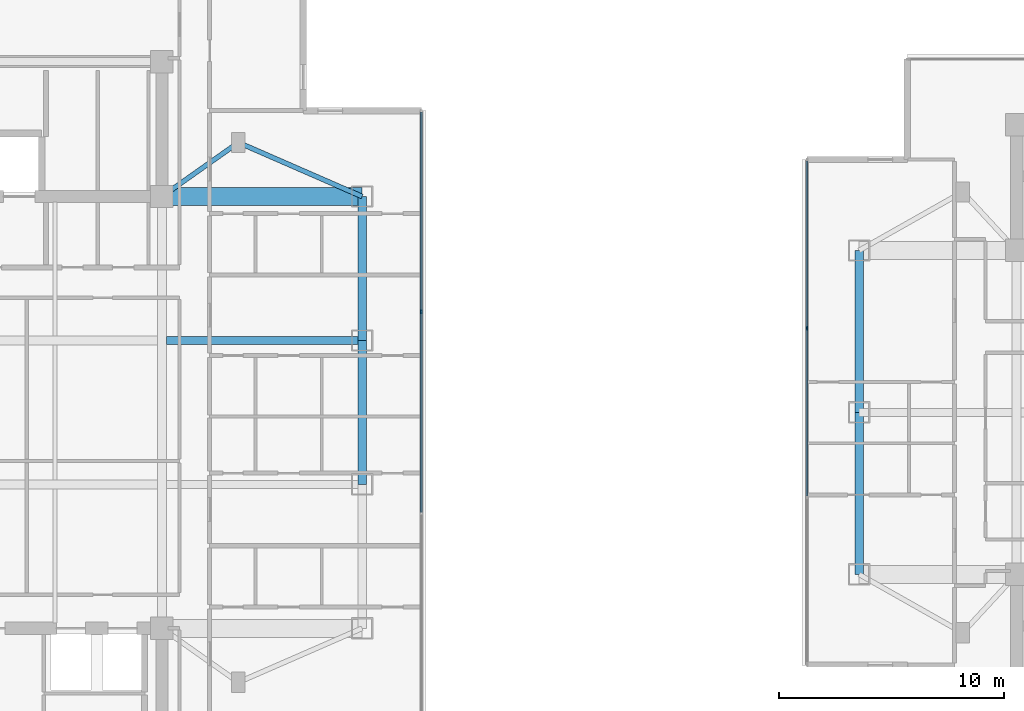
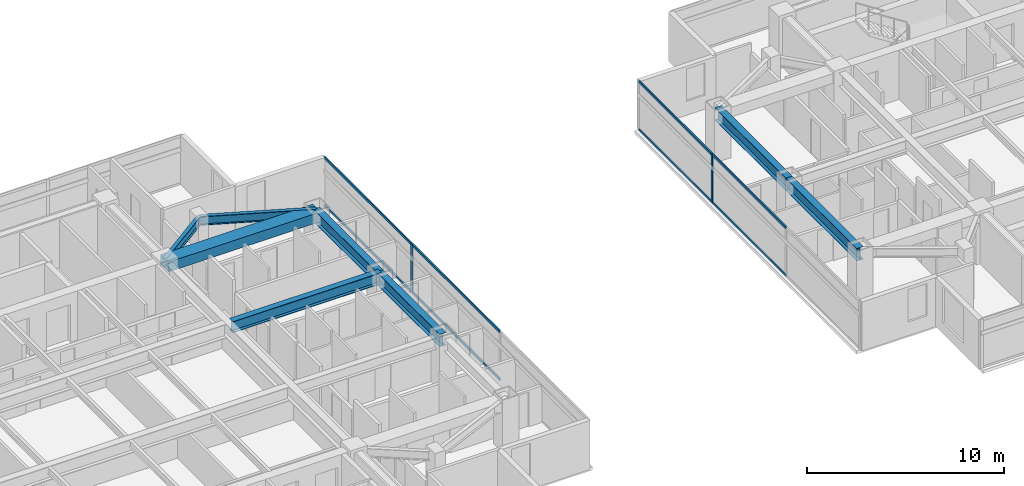
# One storey, part 5 of 26: 10 members, 8 beams, 2 elements without a shape of their own.
"""IFC4 building model written with IfcOpenShell, lengths in metres."""

from ifc_helpers import new_model, si_unit, direction, frame, origin, origin_2d, place, context, subcontext, project, spatial, rectangle, i_section, extrude, material, material_profile, profile_set, type_object, element, aggregate, save


model = new_model("IFC4")

# Units and contexts
model_context = context("Model", 3, precision=1e-05, world=origin(), true_north=direction((0.0, 1.0)))
body_context = subcontext(model_context, "Body", "Model", "MODEL_VIEW")
ifc_project = project(units=[si_unit("LENGTHUNIT", "METRE"), si_unit("AREAUNIT", "SQUARE_METRE"), si_unit("VOLUMEUNIT", "CUBIC_METRE"), si_unit("PLANEANGLEUNIT", "RADIAN"), si_unit("MASSUNIT", "GRAM", prefix="KILO")], contexts=[model_context])

# Site, building, storey
site_placement = place(None, origin())
site = spatial("IfcSite", under=ifc_project, at=site_placement, CompositionType="ELEMENT")
building_placement = place(site_placement, origin())
building = spatial("IfcBuilding", under=site, at=building_placement, Name="Mirazonda Arch Towers", CompositionType="ELEMENT")
storey_placement = place(building_placement, frame((0.0, 0.0, 170.64990234375)))
storey = spatial("IfcBuildingStorey", under=building, at=storey_placement, Name="L48", CompositionType="ELEMENT", Elevation=170.64990234375)

# Beams
ifc_material_1 = material(Name="Steel ASTM A992 Grade 50", Category="steel")
ifc_material_profile_1 = material_profile(ifc_material_1, i_section(OverallWidth=0.381103515625, OverallDepth=0.77294921875, WebThickness=0.0166015625, FlangeThickness=0.027099609375, at=origin_2d()), Name="W30X173")
ifc_profile_set_1 = profile_set([ifc_material_profile_1], Name="Steel ASTM A992 Grade 50")
beam_type_1 = type_object("IfcBeamType", Name="BM-EXT-W30X173", PredefinedType="USERDEFINED", material=ifc_profile_set_1)
beam_1_placement = place(storey_placement, frame((38.89990234375, 24.800048828125, 2.66357421875), z_axis=(0.0, 1.0, 0.0), x_axis=(-1.0, 0.0, 0.0)))
element("IfcBeam", 1, at=beam_1_placement, inside=storey, type_object=beam_type_1, Name="L48 Floor Beam BM-T1-L48-NS-E-24", ObjectType="GIRDER", PredefinedType="USERDEFINED", context=body_context, shape_type="SweptSolid", body=[
    extrude(i_section(OverallWidth=0.381103515625, OverallDepth=0.77294921875, WebThickness=0.0166015625, FlangeThickness=0.027099609375, at=origin_2d()), origin(), (0.0, 0.0, 1.0), 6.39990234375),
])
beam_2_placement = place(storey_placement, frame((38.89990234375, 31.199951171875, 2.66357421875), z_axis=(0.0, 1.0, 0.0), x_axis=(-1.0, 0.0, 0.0)))
element("IfcBeam", 2, at=beam_2_placement, inside=storey, type_object=beam_type_1, Name="L48 Floor Beam BM-T1-L48-NS-E-31", ObjectType="GIRDER", PredefinedType="USERDEFINED", context=body_context, shape_type="SweptSolid", body=[
    extrude(i_section(OverallWidth=0.381103515625, OverallDepth=0.77294921875, WebThickness=0.0166015625, FlangeThickness=0.027099609375, at=origin_2d()), origin(), (0.0, 0.0, 1.0), 6.400146484375),
])
for number, where, z_axis, x_axis, name in (
    (3, (61.0, 20.800048828125, 2.66357421875), (0.0, 1.0, 0.0), (-1.0, 0.0, 0.0), "L48 Floor Beam BM-T2-L48-NS-W-20"),
    (4, (61.0, 28.0, 2.66357421875), (0.0, 1.0, 0.0), (-1.0, 0.0, 0.0), "L48 Floor Beam BM-T2-L48-NS-W-28"),
):
    element("IfcBeam", number, at=place(storey_placement, frame(where, z_axis=z_axis, x_axis=x_axis)), inside=storey, type_object=beam_type_1, Name=name, ObjectType="GIRDER", PredefinedType="USERDEFINED", context=body_context, shape_type="SweptSolid", body=[
        extrude(i_section(OverallWidth=0.381103515625, OverallDepth=0.77294921875, WebThickness=0.0166015625, FlangeThickness=0.027099609375, at=origin_2d()), origin(), (0.0, 0.0, 1.0), 7.199951171875),
    ])
ifc_material_profile_2 = material_profile(ifc_material_1, i_section(OverallWidth=0.214111328125, OverallDepth=0.549072265625, WebThickness=0.0146484375, FlangeThickness=0.023681640625, at=origin_2d()), Name="W21X93")
ifc_profile_set_2 = profile_set([ifc_material_profile_2], Name="Steel ASTM A992 Grade 50")
beam_type_2 = type_object("IfcBeamType", Name="BM-INT-W21X93", PredefinedType="BEAM", material=ifc_profile_set_2)
beam_3_placement = place(storey_placement, frame((33.39990234375, 40.0, 2.775634765625), z_axis=(-0.816971114901, -0.576678591087, 0.0), x_axis=(0.576678591087, -0.816971114901, 0.0)))
element("IfcBeam", 5, at=beam_3_placement, inside=storey, type_object=beam_type_2, Name="L48 Floor Beam BM-T1-L48-PL-NE1", PredefinedType="BEAM", context=body_context, shape_type="SweptSolid", body=[
    extrude(i_section(OverallWidth=0.214111328125, OverallDepth=0.549072265625, WebThickness=0.0146484375, FlangeThickness=0.023681640625, at=origin_2d()), origin(), (0.0, 0.0, 1.0), 4.16162109375),
])
beam_4_placement = place(storey_placement, frame((33.39990234375, 40.0, 2.775634765625), z_axis=(0.916545343703, -0.399930785183, 0.0), x_axis=(0.399930785183, 0.916545343703, 0.0)))
element("IfcBeam", 6, at=beam_4_placement, inside=storey, type_object=beam_type_2, Name="L48 Floor Beam BM-T1-L48-PL-NE2", PredefinedType="BEAM", context=body_context, shape_type="SweptSolid", body=[
    extrude(i_section(OverallWidth=0.214111328125, OverallDepth=0.549072265625, WebThickness=0.0146484375, FlangeThickness=0.023681640625, at=origin_2d()), origin(), (0.0, 0.0, 1.0), 6.000732421875),
])
ifc_material_profile_3 = material_profile(ifc_material_1, i_section(OverallWidth=0.35498046875, OverallDepth=0.696044921875, WebThickness=0.015380859375, FlangeThickness=0.02490234375, at=origin_2d()), Name="W27X146")
ifc_profile_set_3 = profile_set([ifc_material_profile_3], Name="Steel ASTM A992 Grade 50")
beam_type_3 = type_object("IfcBeamType", Name="BM-INT-W27X146", PredefinedType="BEAM", material=ifc_profile_set_3)
beam_5_placement = place(storey_placement, frame((30.199951171875, 31.199951171875, 2.7021484375), z_axis=(1.0, 0.0, 0.0), x_axis=(0.0, 1.0, 0.0)))
element("IfcBeam", 7, at=beam_5_placement, inside=storey, type_object=beam_type_3, Name="L48 Floor Beam BM-T1-L48-GE3", PredefinedType="BEAM", context=body_context, shape_type="SweptSolid", body=[
    extrude(i_section(OverallWidth=0.35498046875, OverallDepth=0.696044921875, WebThickness=0.015380859375, FlangeThickness=0.02490234375, at=origin_2d()), origin(), (0.0, 0.0, 1.0), 8.699951171875),
])
ifc_material_2 = material(Name="Concrete C60/75", Category="concrete")
ifc_material_profile_4 = material_profile(ifc_material_2, rectangle(XDim=0.800048828125, YDim=0.60009765625, at=origin_2d()), Name="RCCB800x600")
ifc_profile_set_4 = profile_set([ifc_material_profile_4], Name="Concrete C60/75")
beam_type_4 = type_object("IfcBeamType", Name="CB-INT-RCCB800x600", PredefinedType="SPANDREL", material=ifc_profile_set_4)
beam_6_placement = place(storey_placement, frame((30.0, 37.60009765625, 2.75), z_axis=(1.0, 0.0, 0.0), x_axis=(0.0, 1.0, 0.0)))
element("IfcBeam", 8, at=beam_6_placement, inside=storey, type_object=beam_type_4, Name="L48 Floor Beam CBC-T1-L48-NE", PredefinedType="SPANDREL", context=body_context, shape_type="SweptSolid", body=[
    extrude(rectangle(XDim=0.800048828125, YDim=0.60009765625, at=origin_2d()), origin(), (0.0, 0.0, 1.0), 8.89990234375),
])

# Curtain wall, member
ifc_material_3 = material(Name="Anodised Aluminium and Low-E Glass", Category="aluminium")
curtain_wall_type = type_object("IfcCurtainWallType", Name="CW-RES-UNIT", PredefinedType="NOTDEFINED", material=ifc_material_3)
curtain_wall_1_placement = place(storey_placement, origin())
curtain_wall_1 = element("IfcCurtainWall", 9, at=curtain_wall_1_placement, inside=storey, type_object=curtain_wall_type, Name="L48 T1 E Facade CW-L48-T1-E", PredefinedType="NOTDEFINED")
ifc_material_4 = material(Name="Anodised Aluminium Alloy", Category="aluminium")
ifc_material_profile_5 = material_profile(ifc_material_4, rectangle(XDim=0.074951171875, YDim=0.175048828125, at=origin_2d()), Name="ALU-MULL-75x175")
ifc_profile_set_5 = profile_set([ifc_material_profile_5], Name="Anodised Aluminium Alloy")
member_type_1 = type_object("IfcMemberType", Name="MULL-CW-RES-UNIT", PredefinedType="MULLION", material=ifc_profile_set_5)
member_1_placement = place(storey_placement, frame((41.530029296875, 32.4716796875, 0.0), z_axis=(0.0, 0.0, 1.0), x_axis=(-1.0, 0.0, 0.0)))
member_1 = element("IfcMember", 10, at=member_1_placement, type_object=member_type_1, Name="CW-104 mullion 3", PredefinedType="MULLION", context=body_context, shape_type="SweptSolid", body=[
    extrude(rectangle(XDim=0.074951171875, YDim=0.175048828125, at=origin_2d()), origin(), (0.0, 0.0, 1.0), 3.030029296875),
])

curtain_wall_2_placement = place(storey_placement, origin())
curtain_wall_2 = element("IfcCurtainWall", 11, at=curtain_wall_2_placement, inside=storey, type_object=curtain_wall_type, Name="L48 T2 W Facade CW-L48-T2-W", PredefinedType="NOTDEFINED")
member_2_placement = place(storey_placement, frame((58.677490234375, 31.74755859375, 0.0), z_axis=(0.0, 0.0, 1.0), x_axis=(1.0, 0.0, 0.0)))
member_2 = element("IfcMember", 12, at=member_2_placement, type_object=member_type_1, Name="CW-104 mullion 2", PredefinedType="MULLION", context=body_context, shape_type="SweptSolid", body=[
    extrude(rectangle(XDim=0.074951171875, YDim=0.175048828125, at=origin_2d()), origin(), (0.0, 0.0, 1.0), 3.030029296875),
])

# Member
ifc_material_profile_6 = material_profile(ifc_material_4, rectangle(XDim=0.074951171875, YDim=0.155029296875, at=origin_2d()), Name="ALU-TRAN-75x155")
ifc_profile_set_6 = profile_set([ifc_material_profile_6], Name="Anodised Aluminium Alloy")
member_type_2 = type_object("IfcMemberType", Name="TRAN-CW-RES-UNIT", PredefinedType="USERDEFINED", material=ifc_profile_set_6)
member_3_placement = place(storey_placement, frame((41.530029296875, 23.56591796875, 0.03759765625), z_axis=(0.0, 1.0, 0.0), x_axis=(-1.0, 0.0, 0.0)))
member_3 = element("IfcMember", 13, at=member_3_placement, type_object=member_type_2, Name="CW-104 transom 2.1", ObjectType="TRANSOM", PredefinedType="USERDEFINED", context=body_context, shape_type="SweptSolid", body=[
    extrude(rectangle(XDim=0.074951171875, YDim=0.155029296875, at=origin_2d()), origin(), (0.0, 0.0, 1.0), 8.8681640625),
])

member_4_placement = place(storey_placement, frame((41.530029296875, 23.56591796875, 2.99267578125), z_axis=(0.0, 1.0, 0.0), x_axis=(-1.0, 0.0, 0.0)))
member_4 = element("IfcMember", 14, at=member_4_placement, type_object=member_type_2, Name="CW-104 transom 2.2", ObjectType="TRANSOM", PredefinedType="USERDEFINED", context=body_context, shape_type="SweptSolid", body=[
    extrude(rectangle(XDim=0.074951171875, YDim=0.155029296875, at=origin_2d()), origin(), (0.0, 0.0, 1.0), 8.8681640625),
])

member_5_placement = place(storey_placement, frame((41.530029296875, 32.50927734375, 0.03759765625), z_axis=(0.0, 1.0, 0.0), x_axis=(-1.0, 0.0, 0.0)))
member_5 = element("IfcMember", 15, at=member_5_placement, type_object=member_type_2, Name="CW-104 transom 3.1", ObjectType="TRANSOM", PredefinedType="USERDEFINED", context=body_context, shape_type="SweptSolid", body=[
    extrude(rectangle(XDim=0.074951171875, YDim=0.155029296875, at=origin_2d()), origin(), (0.0, 0.0, 1.0), 8.830810546875),
])

member_6_placement = place(storey_placement, frame((41.530029296875, 32.50927734375, 2.99267578125), z_axis=(0.0, 1.0, 0.0), x_axis=(-1.0, 0.0, 0.0)))
member_6 = element("IfcMember", 16, at=member_6_placement, type_object=member_type_2, Name="CW-104 transom 3.2", ObjectType="TRANSOM", PredefinedType="USERDEFINED", context=body_context, shape_type="SweptSolid", body=[
    extrude(rectangle(XDim=0.074951171875, YDim=0.155029296875, at=origin_2d()), origin(), (0.0, 0.0, 1.0), 8.830810546875),
])

aggregate(curtain_wall_1, [member_1, member_3, member_4, member_5, member_6])

member_7_placement = place(storey_placement, frame((58.677490234375, 39.167724609375, 0.03759765625), z_axis=(0.0, -1.0, 0.0), x_axis=(1.0, 0.0, 0.0)))
member_7 = element("IfcMember", 17, at=member_7_placement, type_object=member_type_2, Name="CW-104 transom 1.1", ObjectType="TRANSOM", PredefinedType="USERDEFINED", context=body_context, shape_type="SweptSolid", body=[
    extrude(rectangle(XDim=0.074951171875, YDim=0.155029296875, at=origin_2d()), origin(), (0.0, 0.0, 1.0), 7.382568359375),
])

member_8_placement = place(storey_placement, frame((58.677490234375, 39.167724609375, 2.99267578125), z_axis=(0.0, -1.0, 0.0), x_axis=(1.0, 0.0, 0.0)))
member_8 = element("IfcMember", 18, at=member_8_placement, type_object=member_type_2, Name="CW-104 transom 1.2", ObjectType="TRANSOM", PredefinedType="USERDEFINED", context=body_context, shape_type="SweptSolid", body=[
    extrude(rectangle(XDim=0.074951171875, YDim=0.155029296875, at=origin_2d()), origin(), (0.0, 0.0, 1.0), 7.382568359375),
])

member_9_placement = place(storey_placement, frame((58.677490234375, 31.710205078125, 0.03759765625), z_axis=(0.0, -1.0, 0.0), x_axis=(1.0, 0.0, 0.0)))
member_9 = element("IfcMember", 19, at=member_9_placement, type_object=member_type_2, Name="CW-104 transom 2.1", ObjectType="TRANSOM", PredefinedType="USERDEFINED", context=body_context, shape_type="SweptSolid", body=[
    extrude(rectangle(XDim=0.074951171875, YDim=0.155029296875, at=origin_2d()), origin(), (0.0, 0.0, 1.0), 7.42041015625),
])

member_10_placement = place(storey_placement, frame((58.677490234375, 31.710205078125, 2.99267578125), z_axis=(0.0, -1.0, 0.0), x_axis=(1.0, 0.0, 0.0)))
member_10 = element("IfcMember", 20, at=member_10_placement, type_object=member_type_2, Name="CW-104 transom 2.2", ObjectType="TRANSOM", PredefinedType="USERDEFINED", context=body_context, shape_type="SweptSolid", body=[
    extrude(rectangle(XDim=0.074951171875, YDim=0.155029296875, at=origin_2d()), origin(), (0.0, 0.0, 1.0), 7.42041015625),
])

aggregate(curtain_wall_2, [member_2, member_7, member_8, member_9, member_10])

save(model, "model.ifc")
